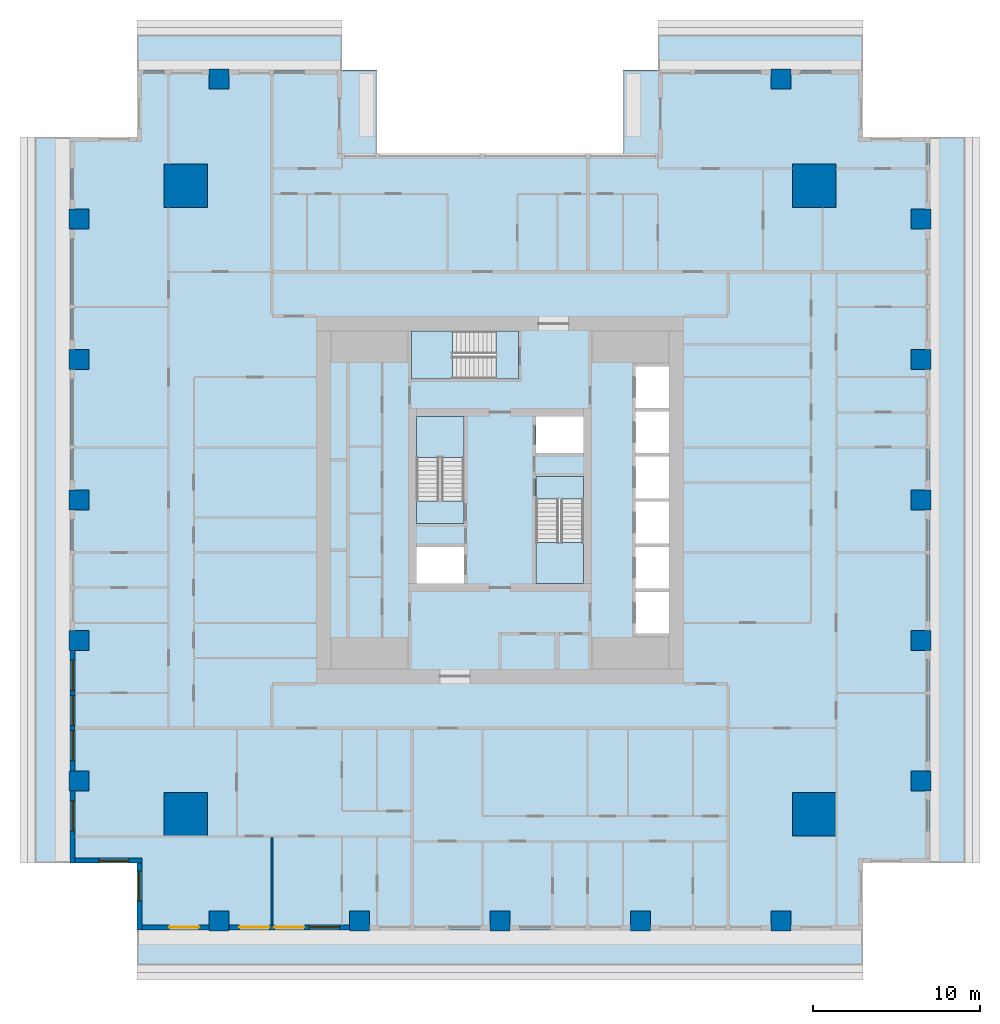
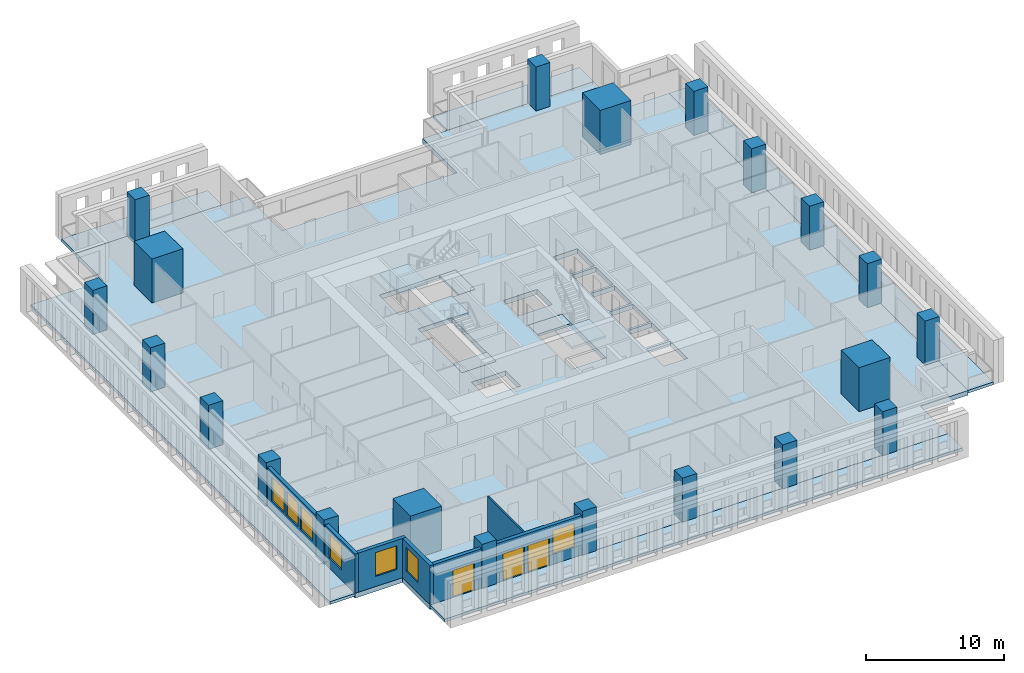
# One storey, part 1 of 16: 21 columns, 12 slabs, 7 walls, 7 windows, 3 doors, 10 openings, 3 elements without a shape of their own.
"""IFC4 building model written with IfcOpenShell, lengths in metres."""

from ifc_helpers import new_model, si_unit, direction, frame, frame_2d, origin, origin_2d, place, context, subcontext, project, spatial, polyline, rectangle, outline, extrude, material, layer, layer_set, material_profile, profile_set, type_object, element, fill, aggregate, save


model = new_model("IFC4")

# Units and contexts
model_context = context("Model", 3, precision=1e-05, world=origin(), true_north=direction((0.0, 1.0)))
body_context = subcontext(model_context, "Body", "Model", "MODEL_VIEW")
ifc_project = project(units=[si_unit("LENGTHUNIT", "METRE"), si_unit("AREAUNIT", "SQUARE_METRE"), si_unit("VOLUMEUNIT", "CUBIC_METRE"), si_unit("PLANEANGLEUNIT", "RADIAN"), si_unit("MASSUNIT", "GRAM", prefix="KILO")], contexts=[model_context])

# Site, building, storey
site_placement = place(None, origin())
site = spatial("IfcSite", under=ifc_project, at=site_placement, CompositionType="ELEMENT")
building_placement = place(site_placement, origin())
building = spatial("IfcBuilding", under=site, at=building_placement, Name="Khepri Terraces", CompositionType="ELEMENT")
storey_placement = place(building_placement, frame((0.0, 0.0, 157.199951171875)))
storey = spatial("IfcBuildingStorey", under=building, at=storey_placement, Name="L37", CompositionType="ELEMENT", Elevation=157.199951171875)

# Columns
ifc_material_1 = material(Name="Concrete C60/75", Category="concrete")
ifc_material_profile_1 = material_profile(ifc_material_1, rectangle(XDim=2.60009765625, YDim=2.60009765625, at=origin_2d()), Name="Concrete C60/75", Category="concrete")
ifc_profile_set_1 = profile_set([ifc_material_profile_1], Name="Concrete C60/75")
column_type_1 = type_object("IfcColumnType", Name="Mega column RC 2600x2600 C60/75", PredefinedType="COLUMN", material=ifc_profile_set_1)
for number, where, z_axis, x_axis, name in (
    (1, (18.800048828125, 18.800048828125, 0.0), (0.0, 0.0, 1.0), (1.0, 0.0, 0.0), "Mega column MEN L37"),
    (2, (18.800048828125, -18.800048828125, 0.0), (0.0, 0.0, 1.0), (1.0, 0.0, 0.0), "Mega column MES L37"),
    (3, (-18.800048828125, 18.800048828125, 0.0), (0.0, 0.0, 1.0), (1.0, 0.0, 0.0), "Mega column MWN L37"),
    (4, (-18.800048828125, -18.800048828125, 0.0), (0.0, 0.0, 1.0), (1.0, 0.0, 0.0), "Mega column MWS L37"),
):
    element("IfcColumn", number, at=place(storey_placement, frame(where, z_axis=z_axis, x_axis=x_axis)), inside=storey, type_object=column_type_1, Name=name, PredefinedType="COLUMN", context=body_context, shape_type="SweptSolid", body=[
        extrude(rectangle(XDim=2.60009765625, YDim=2.60009765625, at=origin_2d()), origin(), (0.0, 0.0, 1.0), 3.900146484375),
    ])
ifc_material_profile_2 = material_profile(ifc_material_1, rectangle(XDim=1.199951171875, YDim=1.199951171875, at=origin_2d()), Name="Concrete C60/75", Category="concrete")
ifc_profile_set_2 = profile_set([ifc_material_profile_2], Name="Concrete C60/75")
column_type_2 = type_object("IfcColumnType", Name="Tower column RC 1200x1200 C60/75", PredefinedType="COLUMN", material=ifc_profile_set_2)
for number, where, z_axis, x_axis, name in (
    (5, (25.199951171875, 0.0, 0.0), (0.0, 0.0, 1.0), (1.0, 0.0, 0.0), "Perimeter column PE+000a L37"),
    (6, (25.199951171875, 8.39990234375, 0.0), (0.0, 0.0, 1.0), (1.0, 0.0, 0.0), "Perimeter column PE+084a L37"),
    (7, (25.199951171875, 16.800048828125, 0.0), (0.0, 0.0, 1.0), (1.0, 0.0, 0.0), "Perimeter column PE+168a L37"),
    (8, (25.199951171875, -8.39990234375, 0.0), (0.0, 0.0, 1.0), (1.0, 0.0, 0.0), "Perimeter column PE-084a L37"),
    (9, (25.199951171875, -16.800048828125, 0.0), (0.0, 0.0, 1.0), (1.0, 0.0, 0.0), "Perimeter column PE-168a L37"),
    (10, (-16.800048828125, 25.199951171875, 0.0), (0.0, 0.0, 1.0), (1.0, 0.0, 0.0), "Perimeter column PN+168a L37"),
    (11, (16.800048828125, 25.199951171875, 0.0), (0.0, 0.0, 1.0), (1.0, 0.0, 0.0), "Perimeter column PN-168a L37"),
    (12, (0.0, -25.199951171875, 0.0), (0.0, 0.0, 1.0), (1.0, 0.0, 0.0), "Perimeter column PS+000b L37"),
    (13, (8.39990234375, -25.199951171875, 0.0), (0.0, 0.0, 1.0), (1.0, 0.0, 0.0), "Perimeter column PS+084b L37"),
    (14, (16.800048828125, -25.199951171875, 0.0), (0.0, 0.0, 1.0), (1.0, 0.0, 0.0), "Perimeter column PS+168a L37"),
    (15, (-8.39990234375, -25.199951171875, 0.0), (0.0, 0.0, 1.0), (1.0, 0.0, 0.0), "Perimeter column PS-084b L37"),
    (16, (-16.800048828125, -25.199951171875, 0.0), (0.0, 0.0, 1.0), (1.0, 0.0, 0.0), "Perimeter column PS-168a L37"),
    (17, (-25.199951171875, 0.0, 0.0), (0.0, 0.0, 1.0), (1.0, 0.0, 0.0), "Perimeter column PW+000b L37"),
    (18, (-25.199951171875, -8.39990234375, 0.0), (0.0, 0.0, 1.0), (1.0, 0.0, 0.0), "Perimeter column PW+084b L37"),
    (19, (-25.199951171875, -16.800048828125, 0.0), (0.0, 0.0, 1.0), (1.0, 0.0, 0.0), "Perimeter column PW+168a L37"),
    (20, (-25.199951171875, 8.39990234375, 0.0), (0.0, 0.0, 1.0), (1.0, 0.0, 0.0), "Perimeter column PW-084b L37"),
    (21, (-25.199951171875, 16.800048828125, 0.0), (0.0, 0.0, 1.0), (1.0, 0.0, 0.0), "Perimeter column PW-168a L37"),
):
    element("IfcColumn", number, at=place(storey_placement, frame(where, z_axis=z_axis, x_axis=x_axis)), inside=storey, type_object=column_type_2, Name=name, PredefinedType="COLUMN", context=body_context, shape_type="SweptSolid", body=[
        extrude(rectangle(XDim=1.199951171875, YDim=1.199951171875, at=origin_2d()), origin(), (0.0, 0.0, 1.0), 3.900146484375),
    ])

# Slabs
ifc_material_2 = material(Name="Concrete C40/50", Category="concrete")
ifc_layer_1 = layer(ifc_material_2, 0.419921875, Name="Concrete C40/50", Category="concrete")
ifc_layer_set_1 = layer_set([ifc_layer_1], Name="Concrete C40/50")
slab_type_1 = type_object("IfcSlabType", Name="Flat plate 420", PredefinedType="FLOOR", material=ifc_layer_set_1)
slab_1_placement = place(storey_placement, frame((0.0, 0.0, -0.419921875)))
element("IfcSlab", 22, at=slab_1_placement, inside=storey, type_object=slab_type_1, Name="Floor slab F01 L37", PredefinedType="FLOOR", context=body_context, shape_type="SweptSolid", body=[
    extrude(outline(polyline([(7.35009765625, 25.719970703125), (9.449951171875, 25.719970703125), (21.719970703125, 25.719970703125), (21.719970703125, 21.719970703125), (25.719970703125, 21.719970703125), (25.719970703125, -21.719970703125), (21.719970703125, -21.719970703125), (21.719970703125, -25.719970703125), (-21.719970703125, -25.719970703125), (-21.719970703125, -21.719970703125), (-25.719970703125, -21.719970703125), (-25.719970703125, 21.719970703125), (-21.719970703125, 21.719970703125), (-21.719970703125, 25.719970703125), (-9.449951171875, 25.719970703125), (-7.35009765625, 25.719970703125), (-7.35009765625, 20.719970703125), (7.35009765625, 20.719970703125), (7.35009765625, 25.719970703125)]), holes=[polyline([(2.14990234375, 2.800048828125), (5.0, 2.800048828125), (5.0, 5.0), (2.14990234375, 5.0), (2.14990234375, 2.800048828125)]), polyline([(-5.0, -2.800048828125), (-5.0, -5.0), (-2.14990234375, -5.0), (-2.14990234375, -2.800048828125), (-5.0, -2.800048828125)]), polyline([(10.10009765625, -5.5), (8.10009765625, -5.5), (8.10009765625, -8.0), (10.10009765625, -8.0), (10.10009765625, -5.5)]), polyline([(10.10009765625, -5.300048828125), (10.10009765625, -2.800048828125), (8.10009765625, -2.800048828125), (8.10009765625, -5.300048828125), (10.10009765625, -5.300048828125)]), polyline([(8.10009765625, -2.60009765625), (10.10009765625, -2.60009765625), (10.10009765625, -0.10009765625), (8.10009765625, -0.10009765625), (8.10009765625, -2.60009765625)]), polyline([(8.10009765625, 2.60009765625), (8.10009765625, 0.10009765625), (10.10009765625, 0.10009765625), (10.10009765625, 2.60009765625), (8.10009765625, 2.60009765625)]), polyline([(10.10009765625, 5.300048828125), (8.10009765625, 5.300048828125), (8.10009765625, 2.800048828125), (10.10009765625, 2.800048828125), (10.10009765625, 5.300048828125)]), polyline([(10.10009765625, 5.5), (10.10009765625, 8.0), (8.10009765625, 8.0), (8.10009765625, 5.5), (10.10009765625, 5.5)]), polyline([(-5.0, -1.39990234375), (-2.14990234375, -1.39990234375), (-2.14990234375, 5.0), (-5.0, 5.0), (-5.0, -1.39990234375)]), polyline([(5.0, -5.0), (5.0, 1.39990234375), (2.14990234375, 1.39990234375), (2.14990234375, -5.0), (5.0, -5.0)]), polyline([(-5.300048828125, 10.10009765625), (-5.300048828125, 7.25), (1.10009765625, 7.25), (1.10009765625, 10.10009765625), (-5.300048828125, 10.10009765625)])]), origin(), (0.0, 0.0, 1.0), 0.419921875),
])
ifc_material_3 = material(Name="Precast concrete C50/60 warm stone", Category="masonry")
ifc_layer_2 = layer(ifc_material_3, 0.25, Name="Precast concrete C50/60 warm stone", Category="masonry")
ifc_layer_set_2 = layer_set([ifc_layer_2], Name="Precast concrete C50/60 warm stone")
slab_type_2 = type_object("IfcSlabType", Name="SLB-BALCONY-250", PredefinedType="FLOOR", material=ifc_layer_set_2)
slab_2_placement = place(storey_placement, frame((0.0, 0.0, -0.25)))
element("IfcSlab", 23, at=slab_2_placement, inside=storey, type_object=slab_type_2, Name="Balcony slab L37 S", PredefinedType="FLOOR", context=body_context, shape_type="SweptSolid", body=[
    extrude(outline(polyline([(-17.39990234375, -25.719970703125), (-21.719970703125, -25.719970703125), (-21.719970703125, -27.820068359375), (21.719970703125, -27.820068359375), (21.719970703125, -25.719970703125), (17.39990234375, -25.719970703125), (17.39990234375, -25.800048828125), (16.199951171875, -25.800048828125), (16.199951171875, -25.719970703125), (9.0, -25.719970703125), (9.0, -25.800048828125), (7.800048828125, -25.800048828125), (7.800048828125, -25.719970703125), (0.60009765625, -25.719970703125), (0.60009765625, -25.800048828125), (-0.60009765625, -25.800048828125), (-0.60009765625, -25.719970703125), (-7.800048828125, -25.719970703125), (-7.800048828125, -25.800048828125), (-9.0, -25.800048828125), (-9.0, -25.719970703125), (-16.199951171875, -25.719970703125), (-16.199951171875, -25.800048828125), (-17.39990234375, -25.800048828125), (-17.39990234375, -25.719970703125)])), origin(), (0.0, 0.0, 1.0), 0.25),
])
slab_3_placement = place(storey_placement, frame((0.0, 0.0, -0.25)))
element("IfcSlab", 24, at=slab_3_placement, inside=storey, type_object=slab_type_2, Name="Balcony slab L37 E", PredefinedType="FLOOR", context=body_context, shape_type="SweptSolid", body=[
    extrude(outline(polyline([(25.719970703125, -17.39990234375), (25.719970703125, -21.719970703125), (27.820068359375, -21.719970703125), (27.820068359375, 21.719970703125), (25.719970703125, 21.719970703125), (25.719970703125, 17.39990234375), (25.800048828125, 17.39990234375), (25.800048828125, 16.199951171875), (25.719970703125, 16.199951171875), (25.719970703125, 9.0), (25.800048828125, 9.0), (25.800048828125, 7.800048828125), (25.719970703125, 7.800048828125), (25.719970703125, 0.60009765625), (25.800048828125, 0.60009765625), (25.800048828125, -0.60009765625), (25.719970703125, -0.60009765625), (25.719970703125, -7.800048828125), (25.800048828125, -7.800048828125), (25.800048828125, -9.0), (25.719970703125, -9.0), (25.719970703125, -16.199951171875), (25.800048828125, -16.199951171875), (25.800048828125, -17.39990234375), (25.719970703125, -17.39990234375)])), origin(), (0.0, 0.0, 1.0), 0.25),
])
slab_4_placement = place(storey_placement, frame((0.0, 0.0, -0.25)))
element("IfcSlab", 25, at=slab_4_placement, inside=storey, type_object=slab_type_2, Name="Balcony slab L37 N", PredefinedType="FLOOR", context=body_context, shape_type="SweptSolid", body=[
    extrude(outline(polyline([(17.39990234375, 25.719970703125), (21.719970703125, 25.719970703125), (21.719970703125, 27.820068359375), (9.449951171875, 27.820068359375), (9.449951171875, 25.719970703125), (16.199951171875, 25.719970703125), (16.199951171875, 25.800048828125), (17.39990234375, 25.800048828125), (17.39990234375, 25.719970703125)])), origin(), (0.0, 0.0, 1.0), 0.25),
])
slab_5_placement = place(storey_placement, frame((0.0, 0.0, -0.25)))
element("IfcSlab", 26, at=slab_5_placement, inside=storey, type_object=slab_type_2, Name="Balcony slab L37 N", PredefinedType="FLOOR", context=body_context, shape_type="SweptSolid", body=[
    extrude(outline(polyline([(-16.199951171875, 25.719970703125), (-9.449951171875, 25.719970703125), (-9.449951171875, 27.820068359375), (-21.719970703125, 27.820068359375), (-21.719970703125, 25.719970703125), (-17.39990234375, 25.719970703125), (-17.39990234375, 25.800048828125), (-16.199951171875, 25.800048828125), (-16.199951171875, 25.719970703125)])), origin(), (0.0, 0.0, 1.0), 0.25),
])
slab_6_placement = place(storey_placement, frame((0.0, 0.0, -0.25)))
element("IfcSlab", 27, at=slab_6_placement, inside=storey, type_object=slab_type_2, Name="Balcony slab L37 W", PredefinedType="FLOOR", context=body_context, shape_type="SweptSolid", body=[
    extrude(outline(polyline([(-25.719970703125, 17.39990234375), (-25.719970703125, 21.719970703125), (-27.820068359375, 21.719970703125), (-27.820068359375, -21.719970703125), (-25.719970703125, -21.719970703125), (-25.719970703125, -17.39990234375), (-25.800048828125, -17.39990234375), (-25.800048828125, -16.199951171875), (-25.719970703125, -16.199951171875), (-25.719970703125, -9.0), (-25.800048828125, -9.0), (-25.800048828125, -7.800048828125), (-25.719970703125, -7.800048828125), (-25.719970703125, -0.60009765625), (-25.800048828125, -0.60009765625), (-25.800048828125, 0.60009765625), (-25.719970703125, 0.60009765625), (-25.719970703125, 7.800048828125), (-25.800048828125, 7.800048828125), (-25.800048828125, 9.0), (-25.719970703125, 9.0), (-25.719970703125, 16.199951171875), (-25.800048828125, 16.199951171875), (-25.800048828125, 17.39990234375), (-25.719970703125, 17.39990234375)])), origin(), (0.0, 0.0, 1.0), 0.25),
])

# Stair, slabs
stair_type = type_object("IfcStairType", Name="STAIR-RC-22R", PredefinedType="HALF_TURN_STAIR", material=ifc_material_2)
stair_1_placement = place(storey_placement, origin())
stair_1 = element("IfcStair", 28, at=stair_1_placement, inside=storey, type_object=stair_type, Name="L37 Exit Stair ST-1", PredefinedType="HALF_TURN_STAIR")
ifc_layer_3 = layer(ifc_material_2, 0.199951171875, Name="Concrete C40/50", Category="concrete")
ifc_layer_set_3 = layer_set([ifc_layer_3], Name="Concrete C40/50")
slab_type_3 = type_object("IfcSlabType", Name="SLB-CORE-LANDING", PredefinedType="LANDING", material=ifc_layer_set_3)
slab_7_placement = place(storey_placement, frame((0.0, 0.0, -0.199951171875)))
slab_7 = element("IfcSlab", 29, at=slab_7_placement, type_object=slab_type_3, Name="ST-1 landing 1", PredefinedType="LANDING", context=body_context, shape_type="SweptSolid", body=[
    extrude(outline(polyline([(-2.14990234375, -1.39990234375), (-2.14990234375, -0.050048828125), (-5.0, -0.050048828125), (-5.0, -1.39990234375), (-2.14990234375, -1.39990234375)])), origin(), (0.0, 0.0, 1.0), 0.199951171875),
])
slab_8_placement = place(storey_placement, frame((0.0, 0.0, 1.75)))
slab_8 = element("IfcSlab", 30, at=slab_8_placement, type_object=slab_type_3, Name="ST-1 landing 2", PredefinedType="LANDING", context=body_context, shape_type="SweptSolid", body=[
    extrude(outline(polyline([(-2.14990234375, 2.550048828125), (-2.14990234375, 5.0), (-5.0, 5.0), (-5.0, 2.550048828125), (-2.14990234375, 2.550048828125)])), origin(), (0.0, 0.0, 1.0), 0.199951171875),
])
aggregate(stair_1, [slab_7, slab_8])

stair_2_placement = place(storey_placement, origin())
stair_2 = element("IfcStair", 31, at=stair_2_placement, inside=storey, type_object=stair_type, Name="L37 Exit Stair ST-2", PredefinedType="HALF_TURN_STAIR")
slab_9_placement = place(storey_placement, frame((0.0, 0.0, -0.199951171875)))
slab_9 = element("IfcSlab", 32, at=slab_9_placement, type_object=slab_type_3, Name="ST-2 landing 1", PredefinedType="LANDING", context=body_context, shape_type="SweptSolid", body=[
    extrude(outline(polyline([(2.14990234375, 1.39990234375), (2.14990234375, 0.050048828125), (5.0, 0.050048828125), (5.0, 1.39990234375), (2.14990234375, 1.39990234375)])), origin(), (0.0, 0.0, 1.0), 0.199951171875),
])
slab_10_placement = place(storey_placement, frame((0.0, 0.0, 1.75)))
slab_10 = element("IfcSlab", 33, at=slab_10_placement, type_object=slab_type_3, Name="ST-2 landing 2", PredefinedType="LANDING", context=body_context, shape_type="SweptSolid", body=[
    extrude(outline(polyline([(2.14990234375, -2.550048828125), (2.14990234375, -5.0), (5.0, -5.0), (5.0, -2.550048828125), (2.14990234375, -2.550048828125)])), origin(), (0.0, 0.0, 1.0), 0.199951171875),
])
aggregate(stair_2, [slab_9, slab_10])

stair_3_placement = place(storey_placement, origin())
stair_3 = element("IfcStair", 34, at=stair_3_placement, inside=storey, type_object=stair_type, Name="L37 Exit Stair ST-3", PredefinedType="HALF_TURN_STAIR")
slab_11_placement = place(storey_placement, frame((0.0, 0.0, -0.199951171875)))
slab_11 = element("IfcSlab", 35, at=slab_11_placement, type_object=slab_type_3, Name="ST-3 landing 1", PredefinedType="LANDING", context=body_context, shape_type="SweptSolid", body=[
    extrude(outline(polyline([(1.10009765625, 10.10009765625), (-0.25, 10.10009765625), (-0.25, 7.25), (1.10009765625, 7.25), (1.10009765625, 10.10009765625)])), origin(), (0.0, 0.0, 1.0), 0.199951171875),
])
slab_12_placement = place(storey_placement, frame((0.0, 0.0, 1.75)))
slab_12 = element("IfcSlab", 36, at=slab_12_placement, type_object=slab_type_3, Name="ST-3 landing 2", PredefinedType="LANDING", context=body_context, shape_type="SweptSolid", body=[
    extrude(outline(polyline([(-2.85009765625, 10.10009765625), (-5.300048828125, 10.10009765625), (-5.300048828125, 7.25), (-2.85009765625, 7.25), (-2.85009765625, 10.10009765625)])), origin(), (0.0, 0.0, 1.0), 0.199951171875),
])
aggregate(stair_3, [slab_11, slab_12])

# Wall, openings, windows
ifc_layer_4 = layer(ifc_material_3, 0.300048828125, Name="Precast concrete C50/60 warm stone", Category="masonry")
ifc_layer_set_4 = layer_set([ifc_layer_4], Name="Precast concrete C50/60 warm stone")
wall_type_1 = type_object("IfcWallType", Name="WL-EXT-PRECAST-300", PredefinedType="STANDARD", material=ifc_layer_set_4)
wall_1_placement = place(storey_placement, frame((-25.570068359375, -9.0, 0.0), z_axis=(0.0, 0.0, 1.0), x_axis=(0.0, -1.0, 0.0)))
wall_1 = element("IfcWall", 37, at=wall_1_placement, inside=storey, type_object=wall_type_1, Name="External wall L37 W", PredefinedType="STANDARD", context=body_context, shape_type="SweptSolid", body=[
    extrude(rectangle(XDim=7.199951171875, YDim=0.300048828125, at=frame_2d((3.60009765625, 0.0))), origin(), (0.0, 0.0, 1.0), 3.47998046875),
])
opening_1_placement = place(wall_1_placement, frame((0.60009765625, 0.0, 0.89990234375)))
opening_1 = element("IfcOpeningElement", 38, at=opening_1_placement, cuts=wall_1, Name="Opening W1", PredefinedType="OPENING", context=body_context, shape_type="SweptSolid", body=[
    extrude(rectangle(XDim=1.800048828125, YDim=2.10009765625, at=frame_2d((0.89990234375, 1.050048828125))), frame((0.0, 0.16015625, 0.0), z_axis=(0.0, -1.0, 0.0), x_axis=(1.0, 0.0, 0.0)), (0.0, 0.0, 1.0), 0.320068359375),
])
opening_2_placement = place(wall_1_placement, frame((2.699951171875, 0.0, 0.89990234375)))
opening_2 = element("IfcOpeningElement", 39, at=opening_2_placement, cuts=wall_1, Name="Opening W1", PredefinedType="OPENING", context=body_context, shape_type="SweptSolid", body=[
    extrude(rectangle(XDim=1.800048828125, YDim=2.10009765625, at=frame_2d((0.89990234375, 1.050048828125))), frame((0.0, 0.16015625, 0.0), z_axis=(0.0, -1.0, 0.0), x_axis=(1.0, 0.0, 0.0)), (0.0, 0.0, 1.0), 0.320068359375),
])
opening_3_placement = place(wall_1_placement, frame((4.800048828125, 0.0, 0.89990234375)))
opening_3 = element("IfcOpeningElement", 40, at=opening_3_placement, cuts=wall_1, Name="Opening W1", PredefinedType="OPENING", context=body_context, shape_type="SweptSolid", body=[
    extrude(rectangle(XDim=1.800048828125, YDim=2.10009765625, at=frame_2d((0.89990234375, 1.050048828125))), frame((0.0, 0.16015625, 0.0), z_axis=(0.0, -1.0, 0.0), x_axis=(1.0, 0.0, 0.0)), (0.0, 0.0, 1.0), 0.320068359375),
])
ifc_material_4 = material(Name="Clear glass", Category="glass")
window_type = type_object("IfcWindowType", Name="WIN-RES-1800x2100", PartitioningType="SINGLE_PANEL", PredefinedType="WINDOW", material=ifc_material_4)
window_1_placement = place(opening_1_placement, origin())
window_1 = element("IfcWindow", 41, at=window_1_placement, inside=storey, type_object=window_type, Name="Window L37 W", OverallHeight=2.10009765625, OverallWidth=1.800048828125, PartitioningType="SINGLE_PANEL", PredefinedType="WINDOW", context=body_context, shape_type="SweptSolid", body=[
    extrude(rectangle(XDim=1.800048828125, YDim=2.10009765625, at=frame_2d((0.89990234375, 1.050048828125))), frame((0.0, 0.030029296875, 0.0), z_axis=(0.0, -1.0, 0.0), x_axis=(1.0, 0.0, 0.0)), (0.0, 0.0, 1.0), 0.06005859375),
])
fill(opening_1, window_1)
window_2_placement = place(opening_2_placement, origin())
window_2 = element("IfcWindow", 42, at=window_2_placement, inside=storey, type_object=window_type, Name="Window L37 W", OverallHeight=2.10009765625, OverallWidth=1.800048828125, PartitioningType="SINGLE_PANEL", PredefinedType="WINDOW", context=body_context, shape_type="SweptSolid", body=[
    extrude(rectangle(XDim=1.800048828125, YDim=2.10009765625, at=frame_2d((0.89990234375, 1.050048828125))), frame((0.0, 0.030029296875, 0.0), z_axis=(0.0, -1.0, 0.0), x_axis=(1.0, 0.0, 0.0)), (0.0, 0.0, 1.0), 0.06005859375),
])
fill(opening_2, window_2)
window_3_placement = place(opening_3_placement, origin())
window_3 = element("IfcWindow", 43, at=window_3_placement, inside=storey, type_object=window_type, Name="Window L37 W", OverallHeight=2.10009765625, OverallWidth=1.800048828125, PartitioningType="SINGLE_PANEL", PredefinedType="WINDOW", context=body_context, shape_type="SweptSolid", body=[
    extrude(rectangle(XDim=1.800048828125, YDim=2.10009765625, at=frame_2d((0.89990234375, 1.050048828125))), frame((0.0, 0.030029296875, 0.0), z_axis=(0.0, -1.0, 0.0), x_axis=(1.0, 0.0, 0.0)), (0.0, 0.0, 1.0), 0.06005859375),
])
fill(opening_3, window_3)

# Wall, opening, window
wall_2_placement = place(storey_placement, frame((-25.570068359375, -17.39990234375, 0.0), z_axis=(0.0, 0.0, 1.0), x_axis=(0.0, -1.0, 0.0)))
wall_2 = element("IfcWall", 44, at=wall_2_placement, inside=storey, type_object=wall_type_1, Name="External wall L37 W", PredefinedType="STANDARD", context=body_context, shape_type="SweptSolid", body=[
    extrude(rectangle(XDim=4.320068359375, YDim=0.300048828125, at=frame_2d((2.16015625, 0.0))), origin(), (0.0, 0.0, 1.0), 3.47998046875),
])
opening_4_placement = place(wall_2_placement, frame((0.60009765625, 0.0, 0.89990234375)))
opening_4 = element("IfcOpeningElement", 45, at=opening_4_placement, cuts=wall_2, Name="Opening W1", PredefinedType="OPENING", context=body_context, shape_type="SweptSolid", body=[
    extrude(rectangle(XDim=1.800048828125, YDim=2.10009765625, at=frame_2d((0.89990234375, 1.050048828125))), frame((0.0, 0.16015625, 0.0), z_axis=(0.0, -1.0, 0.0), x_axis=(1.0, 0.0, 0.0)), (0.0, 0.0, 1.0), 0.320068359375),
])
window_4_placement = place(opening_4_placement, origin())
window_4 = element("IfcWindow", 46, at=window_4_placement, inside=storey, type_object=window_type, Name="Window L37 W", OverallHeight=2.10009765625, OverallWidth=1.800048828125, PartitioningType="SINGLE_PANEL", PredefinedType="WINDOW", context=body_context, shape_type="SweptSolid", body=[
    extrude(rectangle(XDim=1.800048828125, YDim=2.10009765625, at=frame_2d((0.89990234375, 1.050048828125))), frame((0.0, 0.030029296875, 0.0), z_axis=(0.0, -1.0, 0.0), x_axis=(1.0, 0.0, 0.0)), (0.0, 0.0, 1.0), 0.06005859375),
])
fill(opening_4, window_4)

wall_3_placement = place(storey_placement, frame((-25.419921875, -21.570068359375, 0.0), z_axis=(0.0, 0.0, 1.0), x_axis=(1.0, 0.0, 0.0)))
wall_3 = element("IfcWall", 47, at=wall_3_placement, inside=storey, type_object=wall_type_1, Name="External wall L37 S", PredefinedType="STANDARD", context=body_context, shape_type="SweptSolid", body=[
    extrude(rectangle(XDim=4.0, YDim=0.300048828125, at=frame_2d((2.0, 0.0))), origin(), (0.0, 0.0, 1.0), 3.47998046875),
])
opening_5_placement = place(wall_3_placement, frame((1.419921875, 0.0, 0.89990234375)))
opening_5 = element("IfcOpeningElement", 48, at=opening_5_placement, cuts=wall_3, Name="Opening W1", PredefinedType="OPENING", context=body_context, shape_type="SweptSolid", body=[
    extrude(rectangle(XDim=1.800048828125, YDim=2.10009765625, at=frame_2d((0.89990234375, 1.050048828125))), frame((0.0, 0.16015625, 0.0), z_axis=(0.0, -1.0, 0.0), x_axis=(1.0, 0.0, 0.0)), (0.0, 0.0, 1.0), 0.320068359375),
])
window_5_placement = place(opening_5_placement, origin())
window_5 = element("IfcWindow", 49, at=window_5_placement, inside=storey, type_object=window_type, Name="Window L37 S", OverallHeight=2.10009765625, OverallWidth=1.800048828125, PartitioningType="SINGLE_PANEL", PredefinedType="WINDOW", context=body_context, shape_type="SweptSolid", body=[
    extrude(rectangle(XDim=1.800048828125, YDim=2.10009765625, at=frame_2d((0.89990234375, 1.050048828125))), frame((0.0, 0.030029296875, 0.0), z_axis=(0.0, -1.0, 0.0), x_axis=(1.0, 0.0, 0.0)), (0.0, 0.0, 1.0), 0.06005859375),
])
fill(opening_5, window_5)

wall_4_placement = place(storey_placement, frame((-21.570068359375, -21.719970703125, 0.0), z_axis=(0.0, 0.0, 1.0), x_axis=(0.0, -1.0, 0.0)))
wall_4 = element("IfcWall", 50, at=wall_4_placement, inside=storey, type_object=wall_type_1, Name="External wall L37 W", PredefinedType="STANDARD", context=body_context, shape_type="SweptSolid", body=[
    extrude(rectangle(XDim=4.0, YDim=0.300048828125, at=frame_2d((2.0, 0.0))), origin(), (0.0, 0.0, 1.0), 3.47998046875),
])
opening_6_placement = place(wall_4_placement, frame((0.47998046875, 0.0, 0.89990234375)))
opening_6 = element("IfcOpeningElement", 51, at=opening_6_placement, cuts=wall_4, Name="Opening W1", PredefinedType="OPENING", context=body_context, shape_type="SweptSolid", body=[
    extrude(rectangle(XDim=1.800048828125, YDim=2.10009765625, at=frame_2d((0.89990234375, 1.050048828125))), frame((0.0, 0.16015625, 0.0), z_axis=(0.0, -1.0, 0.0), x_axis=(1.0, 0.0, 0.0)), (0.0, 0.0, 1.0), 0.320068359375),
])
window_6_placement = place(opening_6_placement, origin())
window_6 = element("IfcWindow", 52, at=window_6_placement, inside=storey, type_object=window_type, Name="Window L37 W", OverallHeight=2.10009765625, OverallWidth=1.800048828125, PartitioningType="SINGLE_PANEL", PredefinedType="WINDOW", context=body_context, shape_type="SweptSolid", body=[
    extrude(rectangle(XDim=1.800048828125, YDim=2.10009765625, at=frame_2d((0.89990234375, 1.050048828125))), frame((0.0, 0.030029296875, 0.0), z_axis=(0.0, -1.0, 0.0), x_axis=(1.0, 0.0, 0.0)), (0.0, 0.0, 1.0), 0.06005859375),
])
fill(opening_6, window_6)

# Wall, opening, door
wall_5_placement = place(storey_placement, frame((-21.419921875, -25.570068359375, 0.0), z_axis=(0.0, 0.0, 1.0), x_axis=(1.0, 0.0, 0.0)))
wall_5 = element("IfcWall", 53, at=wall_5_placement, inside=storey, type_object=wall_type_1, Name="External wall L37 S", PredefinedType="STANDARD", context=body_context, shape_type="SweptSolid", body=[
    extrude(rectangle(XDim=4.02001953125, YDim=0.300048828125, at=frame_2d((2.010009765625, 0.0))), origin(), (0.0, 0.0, 1.0), 3.47998046875),
])
opening_7_placement = place(wall_5_placement, frame((1.6201171875, 0.0, 0.0)))
opening_7 = element("IfcOpeningElement", 54, at=opening_7_placement, cuts=wall_5, Name="Opening ED-L37-20", PredefinedType="OPENING", context=body_context, shape_type="SweptSolid", body=[
    extrude(rectangle(XDim=1.800048828125, YDim=2.39990234375, at=frame_2d((0.89990234375, 1.199951171875))), frame((0.0, 0.16015625, 0.0), z_axis=(0.0, -1.0, 0.0), x_axis=(1.0, 0.0, 0.0)), (0.0, 0.0, 1.0), 0.320068359375),
])
ifc_material_5 = material(Name="Anodised aluminium bronze glazed door", Category="aluminium")
door_type = type_object("IfcDoorType", Name="DR-BAL-SLIDE-1800x2400", OperationType="NOTDEFINED", PredefinedType="DOOR", material=ifc_material_5)
door_1_placement = place(opening_7_placement, origin())
door_1 = element("IfcDoor", 55, at=door_1_placement, inside=storey, type_object=door_type, Name="Balcony door L37 S", OperationType="SLIDING_TO_RIGHT", OverallHeight=2.39990234375, OverallWidth=1.800048828125, PredefinedType="DOOR", context=body_context, shape_type="SweptSolid", body=[
    extrude(rectangle(XDim=1.800048828125, YDim=2.39990234375, at=frame_2d((0.89990234375, 1.199951171875))), frame((0.0, 0.02490234375, 0.0), z_axis=(0.0, -1.0, 0.0), x_axis=(1.0, 0.0, 0.0)), (0.0, 0.0, 1.0), 0.050048828125),
])
fill(opening_7, door_1)

# Wall, openings, doors, window
wall_6_placement = place(storey_placement, frame((-16.199951171875, -25.570068359375, 0.0), z_axis=(0.0, 0.0, 1.0), x_axis=(1.0, 0.0, 0.0)))
wall_6 = element("IfcWall", 56, at=wall_6_placement, inside=storey, type_object=wall_type_1, Name="External wall L37 S", PredefinedType="STANDARD", context=body_context, shape_type="SweptSolid", body=[
    extrude(rectangle(XDim=7.199951171875, YDim=0.300048828125, at=frame_2d((3.60009765625, 0.0))), origin(), (0.0, 0.0, 1.0), 3.47998046875),
])
opening_8_placement = place(wall_6_placement, frame((0.60009765625, 0.0, 0.0)))
opening_8 = element("IfcOpeningElement", 57, at=opening_8_placement, cuts=wall_6, Name="Opening ED-L37-21", PredefinedType="OPENING", context=body_context, shape_type="SweptSolid", body=[
    extrude(rectangle(XDim=1.800048828125, YDim=2.39990234375, at=frame_2d((0.89990234375, 1.199951171875))), frame((0.0, 0.16015625, 0.0), z_axis=(0.0, -1.0, 0.0), x_axis=(1.0, 0.0, 0.0)), (0.0, 0.0, 1.0), 0.320068359375),
])
opening_9_placement = place(wall_6_placement, frame((2.699951171875, 0.0, 0.0)))
opening_9 = element("IfcOpeningElement", 58, at=opening_9_placement, cuts=wall_6, Name="Opening ED-L37-22", PredefinedType="OPENING", context=body_context, shape_type="SweptSolid", body=[
    extrude(rectangle(XDim=1.800048828125, YDim=2.39990234375, at=frame_2d((0.89990234375, 1.199951171875))), frame((0.0, 0.16015625, 0.0), z_axis=(0.0, -1.0, 0.0), x_axis=(1.0, 0.0, 0.0)), (0.0, 0.0, 1.0), 0.320068359375),
])
opening_10_placement = place(wall_6_placement, frame((4.800048828125, 0.0, 0.89990234375)))
opening_10 = element("IfcOpeningElement", 59, at=opening_10_placement, cuts=wall_6, Name="Opening W1", PredefinedType="OPENING", context=body_context, shape_type="SweptSolid", body=[
    extrude(rectangle(XDim=1.800048828125, YDim=2.10009765625, at=frame_2d((0.89990234375, 1.050048828125))), frame((0.0, 0.16015625, 0.0), z_axis=(0.0, -1.0, 0.0), x_axis=(1.0, 0.0, 0.0)), (0.0, 0.0, 1.0), 0.320068359375),
])
door_2_placement = place(opening_8_placement, origin())
door_2 = element("IfcDoor", 60, at=door_2_placement, inside=storey, type_object=door_type, Name="Balcony door L37 S", OperationType="SLIDING_TO_LEFT", OverallHeight=2.39990234375, OverallWidth=1.800048828125, PredefinedType="DOOR", context=body_context, shape_type="SweptSolid", body=[
    extrude(rectangle(XDim=1.800048828125, YDim=2.39990234375, at=frame_2d((0.89990234375, 1.199951171875))), frame((0.0, 0.02490234375, 0.0), z_axis=(0.0, -1.0, 0.0), x_axis=(1.0, 0.0, 0.0)), (0.0, 0.0, 1.0), 0.050048828125),
])
fill(opening_8, door_2)
door_3_placement = place(opening_9_placement, origin())
door_3 = element("IfcDoor", 61, at=door_3_placement, inside=storey, type_object=door_type, Name="Balcony door L37 S", OperationType="SLIDING_TO_RIGHT", OverallHeight=2.39990234375, OverallWidth=1.800048828125, PredefinedType="DOOR", context=body_context, shape_type="SweptSolid", body=[
    extrude(rectangle(XDim=1.800048828125, YDim=2.39990234375, at=frame_2d((0.89990234375, 1.199951171875))), frame((0.0, 0.02490234375, 0.0), z_axis=(0.0, -1.0, 0.0), x_axis=(1.0, 0.0, 0.0)), (0.0, 0.0, 1.0), 0.050048828125),
])
fill(opening_9, door_3)
window_7_placement = place(opening_10_placement, origin())
window_7 = element("IfcWindow", 62, at=window_7_placement, inside=storey, type_object=window_type, Name="Window L37 S", OverallHeight=2.10009765625, OverallWidth=1.800048828125, PartitioningType="SINGLE_PANEL", PredefinedType="WINDOW", context=body_context, shape_type="SweptSolid", body=[
    extrude(rectangle(XDim=1.800048828125, YDim=2.10009765625, at=frame_2d((0.89990234375, 1.050048828125))), frame((0.0, 0.030029296875, 0.0), z_axis=(0.0, -1.0, 0.0), x_axis=(1.0, 0.0, 0.0)), (0.0, 0.0, 1.0), 0.06005859375),
])
fill(opening_10, window_7)

# Wall
ifc_material_6 = material(Name="Gypsum plasterboard partition")
ifc_layer_5 = layer(ifc_material_6, 0.1201171875, Name="Gypsum plasterboard partition")
ifc_layer_set_5 = layer_set([ifc_layer_5], Name="Gypsum plasterboard partition")
wall_type_2 = type_object("IfcWallType", Name="WL-PART-120", PredefinedType="PARTITIONING", material=ifc_layer_set_5)
wall_7_placement = place(storey_placement, frame((-13.64990234375, -25.419921875, 0.0), z_axis=(0.0, 0.0, 1.0), x_axis=(0.0, 1.0, 0.0)))
element("IfcWall", 63, at=wall_7_placement, inside=storey, type_object=wall_type_2, Name="Partition P-001 L37", PredefinedType="PARTITIONING", context=body_context, shape_type="SweptSolid", body=[
    extrude(rectangle(XDim=5.239990234375, YDim=0.1201171875, at=frame_2d((2.6201171875, 0.0))), origin(), (0.0, 0.0, 1.0), 3.47998046875),
])

save(model, "model.ifc")
